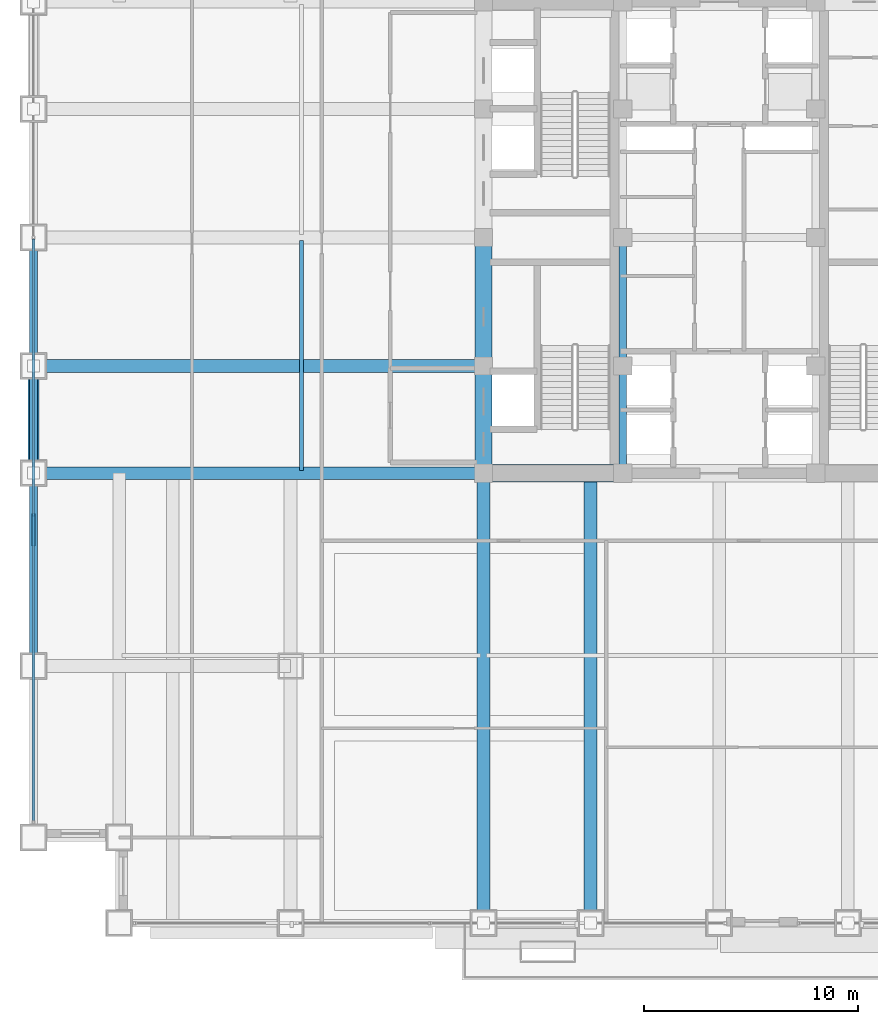
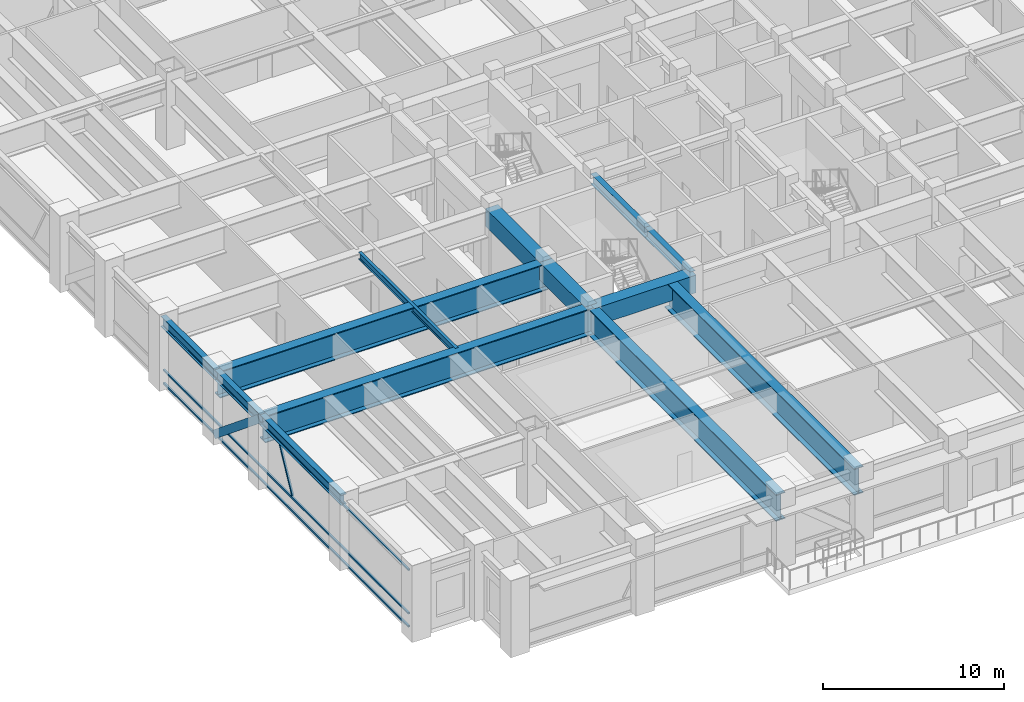
# One storey, part 5 of 34: 13 beams, 5 members, 1 element without a shape of its own.
"""IFC4 building model written with IfcOpenShell, lengths in metres."""

from ifc_helpers import new_model, si_unit, direction, frame, origin, origin_2d, place, context, subcontext, project, spatial, rectangle, hollow_rectangle, i_section, extrude, source, transform, mapped, material, material_profile, profile_set, type_object, element, aggregate, save


model = new_model("IFC4")

# Units and contexts
model_context = context("Model", 3, precision=1e-05, world=origin(), true_north=direction((0.0, 1.0)))
body_context = subcontext(model_context, "Body", "Model", "MODEL_VIEW")
ifc_project = project(units=[si_unit("LENGTHUNIT", "METRE"), si_unit("AREAUNIT", "SQUARE_METRE"), si_unit("VOLUMEUNIT", "CUBIC_METRE"), si_unit("PLANEANGLEUNIT", "RADIAN"), si_unit("MASSUNIT", "GRAM", prefix="KILO")], contexts=[model_context])

# Site, building, storey
site_placement = place(None, origin())
site = spatial("IfcSite", under=ifc_project, at=site_placement, CompositionType="ELEMENT")
building_placement = place(site_placement, origin())
building = spatial("IfcBuilding", under=site, at=building_placement, Name="Khorayat Bourse Tower", CompositionType="ELEMENT")
storey_placement = place(building_placement, frame((0.0, 0.0, 144.699951171875)))
storey = spatial("IfcBuildingStorey", under=building, at=storey_placement, Name="L33", CompositionType="ELEMENT", Elevation=144.699951171875)

# Beams
ifc_material_1 = material(Name="Concrete C72/90", Category="concrete")
ifc_material_profile_1 = material_profile(ifc_material_1, rectangle(XDim=0.800048828125, YDim=1.199951171875, at=origin_2d()), Name="RC 800x1200")
ifc_profile_set_1 = profile_set([ifc_material_profile_1], Name="Concrete C72/90")
beam_type_1 = type_object("IfcBeamType", Name="BM-COUP-1200", PredefinedType="BEAM", material=ifc_profile_set_1)
shared_shape_1 = source(origin(), body_context, "Body", "SweptSolid", [
    extrude(rectangle(XDim=0.800048828125, YDim=1.199951171875, at=origin_2d()), origin(), (0.0, 0.0, 1.0), 5.0),
])
beam_1_placement = place(storey_placement, frame((-11.0, -11.0, 4.0), z_axis=(0.0, 1.0, 0.0), x_axis=(-1.0, 0.0, 0.0)))
element("IfcBeam", 1, at=beam_1_placement, inside=storey, type_object=beam_type_1, Name="L33 BM-COUP-1200 BM-L33-CRX-01", PredefinedType="BEAM", context=body_context, shape_type="MappedRepresentation", body=[
    mapped(shared_shape_1, transform((0.0, 0.0, 0.0), scale=1.0)),
])
shared_shape_2 = source(origin(), body_context, "Body", "SweptSolid", [
    extrude(rectangle(XDim=0.800048828125, YDim=1.199951171875, at=origin_2d()), origin(), (0.0, 0.0, 1.0), 6.0),
])
beam_2_placement = place(storey_placement, frame((-11.0, -6.0, 4.0), z_axis=(0.0, 1.0, 0.0), x_axis=(-1.0, 0.0, 0.0)))
element("IfcBeam", 2, at=beam_2_placement, inside=storey, type_object=beam_type_1, Name="L33 BM-COUP-1200 BM-L33-CRX-02", PredefinedType="BEAM", context=body_context, shape_type="MappedRepresentation", body=[
    mapped(shared_shape_2, transform((0.0, 0.0, 0.0), scale=1.0)),
])
ifc_material_2 = material(Name="Steel ASTM A992 Grade 50", Category="steel")
ifc_material_profile_2 = material_profile(ifc_material_2, i_section(OverallWidth=0.35498046875, OverallDepth=0.695068359375, WebThickness=0.015380859375, FlangeThickness=0.02490234375, FilletRadius=0.01806640625, at=origin_2d()), Name="W690X217")
ifc_profile_set_2 = profile_set([ifc_material_profile_2], Name="Steel ASTM A992 Grade 50")
beam_type_2 = type_object("IfcBeamType", Name="BM-GIRD-690", PredefinedType="BEAM", material=ifc_profile_set_2)
shared_shape_3 = source(origin(), body_context, "Body", "SweptSolid", [
    extrude(i_section(OverallWidth=0.35498046875, OverallDepth=0.695068359375, WebThickness=0.015380859375, FlangeThickness=0.02490234375, FilletRadius=0.01806640625, at=origin_2d()), origin(), (0.0, 0.0, 1.0), 5.0),
])
beam_3_placement = place(storey_placement, frame((-4.5, -11.0, 4.25244140625), z_axis=(0.0, 1.0, 0.0), x_axis=(-1.0, 0.0, 0.0)))
element("IfcBeam", 3, at=beam_3_placement, inside=storey, type_object=beam_type_2, Name="L33 BM-GIRD-690 BM-L33-CRX-05", PredefinedType="BEAM", context=body_context, shape_type="MappedRepresentation", body=[
    mapped(shared_shape_3, transform((0.0, 0.0, 0.0), scale=1.0)),
])
shared_shape_4 = source(origin(), body_context, "Body", "SweptSolid", [
    extrude(i_section(OverallWidth=0.35498046875, OverallDepth=0.695068359375, WebThickness=0.015380859375, FlangeThickness=0.02490234375, FilletRadius=0.01806640625, at=origin_2d()), origin(), (0.0, 0.0, 1.0), 6.0),
])
beam_4_placement = place(storey_placement, frame((-4.5, -6.0, 4.25244140625), z_axis=(0.0, 1.0, 0.0), x_axis=(-1.0, 0.0, 0.0)))
element("IfcBeam", 4, at=beam_4_placement, inside=storey, type_object=beam_type_2, Name="L33 BM-GIRD-690 BM-L33-CRX-06", PredefinedType="BEAM", context=body_context, shape_type="MappedRepresentation", body=[
    mapped(shared_shape_4, transform((0.0, 0.0, 0.0), scale=1.0)),
])
shared_shape_5 = source(origin(), body_context, "Body", "SweptSolid", [
    extrude(rectangle(XDim=0.800048828125, YDim=1.199951171875, at=origin_2d()), origin(), (0.0, 0.0, 1.0), 6.5),
])
beam_5_placement = place(storey_placement, frame((-11.0, -11.0, 4.0), z_axis=(1.0, 0.0, 0.0), x_axis=(0.0, 1.0, 0.0)))
element("IfcBeam", 5, at=beam_5_placement, inside=storey, type_object=beam_type_1, Name="L33 BM-COUP-1200 BM-L33-CRY-17", PredefinedType="BEAM", context=body_context, shape_type="MappedRepresentation", body=[
    mapped(shared_shape_5, transform((0.0, 0.0, 0.0), scale=1.0)),
])
ifc_material_profile_3 = material_profile(ifc_material_2, i_section(OverallWidth=0.35498046875, OverallDepth=0.695068359375, WebThickness=0.015380859375, FlangeThickness=0.02490234375, FilletRadius=0.01806640625, at=origin_2d()), Name="W690X217")
ifc_profile_set_3 = profile_set([ifc_material_profile_3], Name="Steel ASTM A992 Grade 50")
beam_type_3 = type_object("IfcBeamType", Name="BM-SPAN-690", PredefinedType="SPANDREL", material=ifc_profile_set_3)
shared_shape_6 = source(origin(), body_context, "Body", "SweptSolid", [
    extrude(i_section(OverallWidth=0.35498046875, OverallDepth=0.695068359375, WebThickness=0.015380859375, FlangeThickness=0.02490234375, FilletRadius=0.01806640625, at=origin_2d()), origin(), (0.0, 0.0, 1.0), 9.0),
])
beam_6_placement = place(storey_placement, frame((-32.0, -20.0, 4.25244140625), z_axis=(0.0, 1.0, 0.0), x_axis=(-1.0, 0.0, 0.0)))
element("IfcBeam", 6, at=beam_6_placement, inside=storey, type_object=beam_type_3, Name="L33 BM-SPAN-690 BM-L33-SPN-060", PredefinedType="SPANDREL", context=body_context, shape_type="MappedRepresentation", body=[
    mapped(shared_shape_6, transform((0.0, 0.0, 0.0), scale=1.0)),
])
shared_shape_7 = source(origin(), body_context, "Body", "SweptSolid", [
    extrude(i_section(OverallWidth=0.35498046875, OverallDepth=0.695068359375, WebThickness=0.015380859375, FlangeThickness=0.02490234375, FilletRadius=0.01806640625, at=origin_2d()), origin(), (0.0, 0.0, 1.0), 5.0),
])
beam_7_placement = place(storey_placement, frame((-32.0, -11.0, 4.25244140625), z_axis=(0.0, 1.0, 0.0), x_axis=(-1.0, 0.0, 0.0)))
element("IfcBeam", 7, at=beam_7_placement, inside=storey, type_object=beam_type_3, Name="L33 BM-SPAN-690 BM-L33-SPN-059", PredefinedType="SPANDREL", context=body_context, shape_type="MappedRepresentation", body=[
    mapped(shared_shape_7, transform((0.0, 0.0, 0.0), scale=1.0)),
])
shared_shape_8 = source(origin(), body_context, "Body", "SweptSolid", [
    extrude(i_section(OverallWidth=0.35498046875, OverallDepth=0.695068359375, WebThickness=0.015380859375, FlangeThickness=0.02490234375, FilletRadius=0.01806640625, at=origin_2d()), origin(), (0.0, 0.0, 1.0), 6.0),
])
beam_8_placement = place(storey_placement, frame((-32.0, -6.0, 4.25244140625), z_axis=(0.0, 1.0, 0.0), x_axis=(-1.0, 0.0, 0.0)))
element("IfcBeam", 8, at=beam_8_placement, inside=storey, type_object=beam_type_3, Name="L33 BM-SPAN-690 BM-L33-SPN-058", PredefinedType="SPANDREL", context=body_context, shape_type="MappedRepresentation", body=[
    mapped(shared_shape_8, transform((0.0, 0.0, 0.0), scale=1.0)),
])
ifc_material_profile_4 = material_profile(ifc_material_2, i_section(OverallWidth=0.194091796875, OverallDepth=0.468994140625, WebThickness=0.0126953125, FlangeThickness=0.0205078125, FilletRadius=0.012939453125, at=origin_2d()), Name="W460X106")
ifc_profile_set_4 = profile_set([ifc_material_profile_4], Name="Steel ASTM A992 Grade 50")
beam_type_4 = type_object("IfcBeamType", Name="BM-JOIST-460", PredefinedType="JOIST", material=ifc_profile_set_4)
shared_shape_9 = source(origin(), body_context, "Body", "SweptSolid", [
    extrude(i_section(OverallWidth=0.194091796875, OverallDepth=0.468994140625, WebThickness=0.0126953125, FlangeThickness=0.0205078125, FilletRadius=0.012939453125, at=origin_2d()), origin(), (0.0, 0.0, 1.0), 10.740234375),
])
beam_9_placement = place(storey_placement, frame((-19.5, -10.8701171875, 4.365478515625), z_axis=(0.0, 1.0, 0.0), x_axis=(-1.0, 0.0, 0.0)))
element("IfcBeam", 9, at=beam_9_placement, inside=storey, type_object=beam_type_4, Name="L33 BM-JOIST-460 BM-L33-JSTY-110", PredefinedType="JOIST", context=body_context, shape_type="MappedRepresentation", body=[
    mapped(shared_shape_9, transform((0.0, 0.0, 0.0), scale=1.0)),
])
ifc_material_3 = material(Name="Steel EN 10025-4 S460M", Category="steel")
ifc_material_profile_5 = material_profile(ifc_material_3, i_section(OverallWidth=0.60009765625, OverallDepth=1.800048828125, WebThickness=0.031982421875, FlangeThickness=0.06005859375, at=origin_2d()), Name="PG 1800x600x32x60")
ifc_profile_set_5 = profile_set([ifc_material_profile_5], Name="Steel EN 10025-4 S460M")
beam_type_5 = type_object("IfcBeamType", Name="BM-TR-1800", PredefinedType="BEAM", material=ifc_profile_set_5)
shared_shape_10 = source(origin(), body_context, "Body", "SweptSolid", [
    extrude(i_section(OverallWidth=0.60009765625, OverallDepth=1.800048828125, WebThickness=0.031982421875, FlangeThickness=0.06005859375, at=origin_2d()), origin(), (0.0, 0.0, 1.0), 21.0),
])
for number, where, z_axis, x_axis, name in (
    (10, (-11.0, -32.0, 3.699951171875), (0.0, 1.0, 0.0), (-1.0, 0.0, 0.0), "L33 BM-TR-1800 BM-L33-RADY-065"),
    (11, (-6.0, -32.0, 3.699951171875), (0.0, 1.0, 0.0), (-1.0, 0.0, 0.0), "L33 BM-TR-1800 BM-L33-RADY-067"),
    (12, (-32.0, -11.0, 3.699951171875), (1.0, 0.0, 0.0), (0.0, 1.0, 0.0), "L33 BM-TR-1800 BM-L33-RADX-075"),
    (13, (-32.0, -6.0, 3.699951171875), (1.0, 0.0, 0.0), (0.0, 1.0, 0.0), "L33 BM-TR-1800 BM-L33-RADX-077"),
):
    element("IfcBeam", number, at=place(storey_placement, frame(where, z_axis=z_axis, x_axis=x_axis)), inside=storey, type_object=beam_type_5, Name=name, PredefinedType="BEAM", context=body_context, shape_type="MappedRepresentation", body=[
        mapped(shared_shape_10, transform((0.0, 0.0, 0.0), scale=1.0)),
    ])

# Member
ifc_material_profile_6 = material_profile(ifc_material_3, hollow_rectangle(XDim=0.5, YDim=0.5, WallThickness=0.028076171875, at=origin_2d()), Name="HSS 500x500x28")
ifc_profile_set_6 = profile_set([ifc_material_profile_6], Name="Steel EN 10025-4 S460M")
member_type_1 = type_object("IfcMemberType", Name="MBR-TUBE-500", PredefinedType="BRACE", material=ifc_profile_set_6)
shared_shape_11 = source(origin(), body_context, "Body", "SweptSolid", [
    extrude(hollow_rectangle(XDim=0.5, YDim=0.5, WallThickness=0.028076171875, at=origin_2d()), origin(), (0.0, 0.0, 1.0), 6.466064453125),
])
member_1_placement = place(storey_placement, frame((-32.0, -11.0, 4.35009765625), z_axis=(0.0, 0.773260385368, -0.634088618744), x_axis=(-1.0, 0.0, 0.0)))
element("IfcMember", 14, at=member_1_placement, inside=storey, type_object=member_type_1, Name="L33 Perimeter Tube Brace 05", PredefinedType="BRACE", context=body_context, shape_type="MappedRepresentation", body=[
    mapped(shared_shape_11, transform((0.0, 0.0, 0.0), scale=1.0)),
])

# Curtain wall, members
ifc_material_4 = material(Name="Aluminium EN AW-6063 T6", Category="aluminium")
curtain_wall_type = type_object("IfcCurtainWallType", Name="CW-SYS-05", PredefinedType="NOTDEFINED", material=ifc_material_4)
curtain_wall_placement = place(storey_placement, origin())
curtain_wall = element("IfcCurtainWall", 15, at=curtain_wall_placement, inside=storey, type_object=curtain_wall_type, Name="L33 Curtain Wall CW-L33-W1", PredefinedType="NOTDEFINED")
ifc_material_profile_7 = material_profile(ifc_material_4, hollow_rectangle(XDim=0.1201171875, YDim=0.1201171875, WallThickness=0.0048828125, at=origin_2d()), Name="ALU 120x120x5")
ifc_profile_set_7 = profile_set([ifc_material_profile_7], Name="Aluminium EN AW-6063 T6")
member_type_2 = type_object("IfcMemberType", Name="CWM-DIAG-120", PredefinedType="MULLION", material=ifc_profile_set_7)
shared_shape_12 = source(origin(), body_context, "Body", "SweptSolid", [
    extrude(hollow_rectangle(XDim=0.1201171875, YDim=0.1201171875, WallThickness=0.0048828125, at=origin_2d()), origin(), (0.0, 0.0, 1.0), 3.005859375),
])
member_2_placement = place(storey_placement, frame((-32.0, -14.340087890625, 1.090087890625), z_axis=(0.0, 0.465796644007, 0.884891793629), x_axis=(-1.0, 0.0, 0.0)))
member_2 = element("IfcMember", 16, at=member_2_placement, type_object=member_type_2, Name="CW-L33-W1 Faceted Diagonal Mullion 1", PredefinedType="MULLION", context=body_context, shape_type="MappedRepresentation", body=[
    mapped(shared_shape_12, transform((0.0, 0.0, 0.0), scale=1.0)),
])
ifc_material_profile_8 = material_profile(ifc_material_4, hollow_rectangle(XDim=0.1201171875, YDim=0.1201171875, WallThickness=0.0048828125, at=origin_2d()), Name="ALU 120x120x5")
ifc_profile_set_8 = profile_set([ifc_material_profile_8], Name="Aluminium EN AW-6063 T6")
member_type_3 = type_object("IfcMemberType", Name="CWT-HORZ-120", PredefinedType="USERDEFINED", material=ifc_profile_set_8)
shared_shape_13 = source(origin(), body_context, "Body", "SweptSolid", [
    extrude(hollow_rectangle(XDim=0.1201171875, YDim=0.1201171875, WallThickness=0.0048828125, at=origin_2d()), origin(), (0.0, 0.0, 1.0), 27.139892578125),
])
member_3_placement = place(storey_placement, frame((-32.0, -27.2099609375, 0.06005859375), z_axis=(0.0, 1.0, 0.0), x_axis=(-1.0, 0.0, 0.0)))
member_3 = element("IfcMember", 17, at=member_3_placement, type_object=member_type_3, Name="CW-L33-W1 Horizontal Transom 1-1", ObjectType="TRANSOM", PredefinedType="USERDEFINED", context=body_context, shape_type="MappedRepresentation", body=[
    mapped(shared_shape_13, transform((0.0, 0.0, 0.0), scale=1.0)),
])
member_4_placement = place(storey_placement, frame((-32.0, -27.2099609375, 0.949951171875), z_axis=(0.0, 1.0, 0.0), x_axis=(-1.0, 0.0, 0.0)))
member_4 = element("IfcMember", 18, at=member_4_placement, type_object=member_type_3, Name="CW-L33-W1 Horizontal Transom 1-2", ObjectType="TRANSOM", PredefinedType="USERDEFINED", context=body_context, shape_type="MappedRepresentation", body=[
    mapped(shared_shape_13, transform((0.0, 0.0, 0.0), scale=1.0)),
])
member_5_placement = place(storey_placement, frame((-32.0, -27.2099609375, 3.89013671875), z_axis=(0.0, 1.0, 0.0), x_axis=(-1.0, 0.0, 0.0)))
member_5 = element("IfcMember", 19, at=member_5_placement, type_object=member_type_3, Name="CW-L33-W1 Horizontal Transom 1-3", ObjectType="TRANSOM", PredefinedType="USERDEFINED", context=body_context, shape_type="MappedRepresentation", body=[
    mapped(shared_shape_13, transform((0.0, 0.0, 0.0), scale=1.0)),
])
aggregate(curtain_wall, [member_3, member_4, member_5, member_2])

save(model, "model.ifc")
